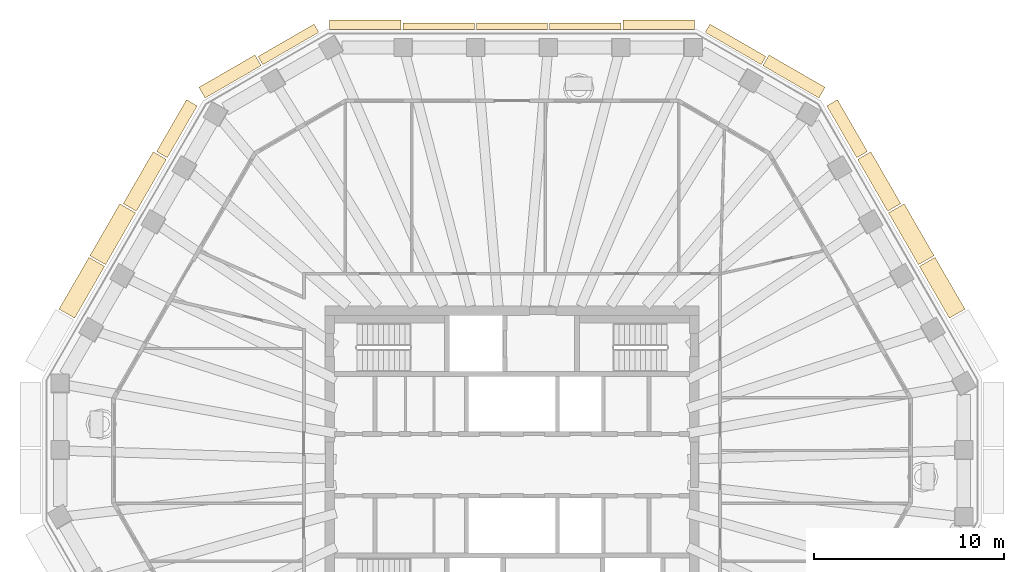
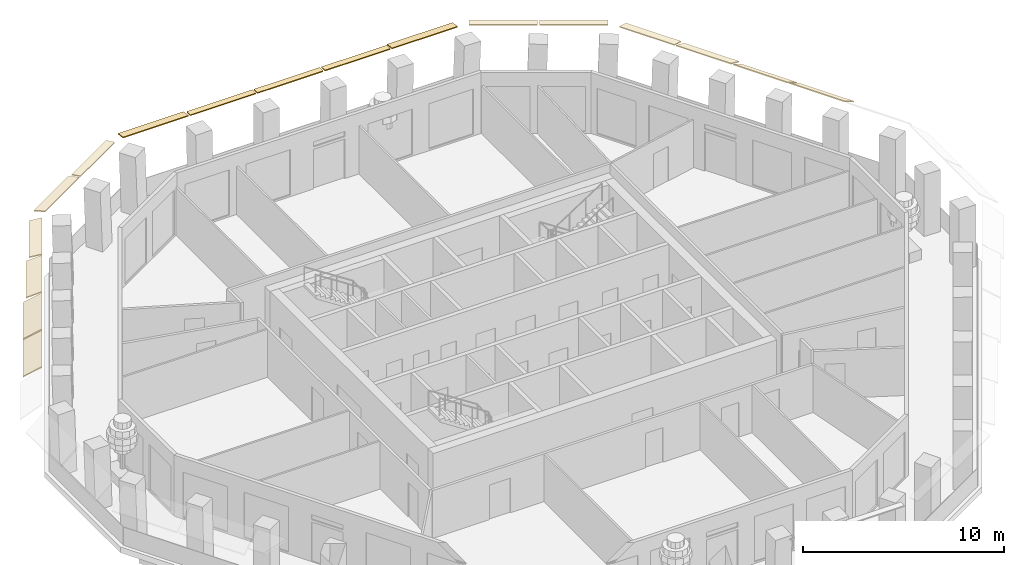
# One storey, part 9 of 11: 17 coverings.
"""IFC4 building model written with IfcOpenShell, lengths in metres."""

from ifc_helpers import new_model, si_unit, direction, frame, origin, place, context, subcontext, project, spatial, polyline, outline, extrude, material, layer, layer_set, type_object, element, save


model = new_model("IFC4")

# Units and contexts
model_context = context("Model", 3, precision=1e-05, world=origin(), true_north=direction((0.0, 1.0)))
body_context = subcontext(model_context, "Body", "Model", "MODEL_VIEW")
ifc_project = project(units=[si_unit("LENGTHUNIT", "METRE"), si_unit("AREAUNIT", "SQUARE_METRE"), si_unit("VOLUMEUNIT", "CUBIC_METRE"), si_unit("PLANEANGLEUNIT", "RADIAN"), si_unit("MASSUNIT", "GRAM", prefix="KILO")], contexts=[model_context])

# Site, building, storey
site_placement = place(None, origin())
site = spatial("IfcSite", under=ifc_project, at=site_placement, CompositionType="ELEMENT")
building_placement = place(site_placement, origin())
building = spatial("IfcBuilding", under=site, at=building_placement, Name="Frailejon Research Tower", CompositionType="ELEMENT")
storey_placement = place(building_placement, frame((0.0, 0.0, 287.0)))
storey = spatial("IfcBuildingStorey", under=building, at=storey_placement, Name="L63", CompositionType="ELEMENT", Elevation=287.0)

# Coverings
ifc_material_1 = material(Name="Precast concrete C50/60", Category="concrete")
ifc_layer_1 = layer(ifc_material_1, 0.06005859375)
ifc_layer_set_1 = layer_set([ifc_layer_1], Name="Brim blade depth 350")
covering_type_1 = type_object("IfcCoveringType", Name="Brim blade depth 350", PredefinedType="CLADDING", material=ifc_layer_set_1)
for number, where, z_axis, x_axis, name in (
    (1, (1.97900390625, 22.89990234375, 3.85009765625), (1.0, 0.0, 0.0), (0.0, 1.0, 0.0), "Brim blade L63"),
    (2, (-1.87890625, 22.89990234375, 3.85009765625), (1.0, 0.0, 0.0), (0.0, 1.0, 0.0), "Brim blade L63"),
    (3, (-5.737060546875, 22.89990234375, 3.85009765625), (1.0, 0.0, 0.0), (0.0, 1.0, 0.0), "Brim blade L63"),
):
    element("IfcCovering", number, at=place(storey_placement, frame(where, z_axis=z_axis, x_axis=x_axis)), inside=storey, type_object=covering_type_1, Name=name, PredefinedType="CLADDING", context=body_context, shape_type="SweptSolid", body=[
        extrude(outline(polyline([(0.0, -0.06005859375), (0.35009765625, -0.06005859375), (0.35009765625, 0.0), (0.0, 0.0), (0.0, -0.06005859375)])), origin(), (0.0, 0.0, 1.0), 3.758056640625),
    ])
ifc_material_2 = material(Name="Precast concrete C50/60", Category="concrete")
ifc_layer_2 = layer(ifc_material_2, 0.06005859375)
ifc_layer_set_2 = layer_set([ifc_layer_2], Name="Brim blade depth 500")
covering_type_2 = type_object("IfcCoveringType", Name="Brim blade depth 500", PredefinedType="CLADDING", material=ifc_layer_set_2)
covering_1_placement = place(storey_placement, frame((10.16357421875, 22.747802734375, 3.85009765625), z_axis=(0.866023907216, -0.500002592124, 0.0), x_axis=(0.500002592124, 0.866023907216, 0.0)))
element("IfcCovering", 4, at=covering_1_placement, inside=storey, type_object=covering_type_2, Name="Brim blade L63", PredefinedType="CLADDING", context=body_context, shape_type="SweptSolid", body=[
    extrude(outline(polyline([(0.0, -0.060546875), (0.5, -0.130859375), (0.5, -0.0703125), (0.0, 0.0), (0.0, -0.060546875)])), origin(), (0.0, 0.0, 1.0), 3.402099609375),
])
for number, where, z_axis, x_axis, name in (
    (5, (5.837158203125, 22.89990234375, 3.85009765625), (1.0, 0.0, 0.0), (0.0, 1.0, 0.0), "Brim blade L63"),
    (6, (-9.59521484375, 22.89990234375, 3.85009765625), (1.0, 0.0, 0.0), (0.0, 1.0, 0.0), "Brim blade L63"),
):
    element("IfcCovering", number, at=place(storey_placement, frame(where, z_axis=z_axis, x_axis=x_axis)), inside=storey, type_object=covering_type_2, Name=name, PredefinedType="CLADDING", context=body_context, shape_type="SweptSolid", body=[
        extrude(outline(polyline([(0.0, -0.060546875), (0.5, -0.130859375), (0.5, -0.0703125), (0.0, 0.0), (0.0, -0.060546875)])), origin(), (0.0, 0.0, 1.0), 3.758056640625),
    ])
covering_2_placement = place(storey_placement, frame((-13.109619140625, 21.046630859375, 3.85009765625), z_axis=(0.866023907216, 0.500002592124, 0.0), x_axis=(-0.500002592124, 0.866023907216, 0.0)))
element("IfcCovering", 7, at=covering_2_placement, inside=storey, type_object=covering_type_2, Name="Brim blade L63", PredefinedType="CLADDING", context=body_context, shape_type="SweptSolid", body=[
    extrude(outline(polyline([(0.0, -0.060546875), (0.5, -0.130859375), (0.5, -0.0703125), (0.0, 0.0), (0.0, -0.060546875)])), origin(), (0.0, 0.0, 1.0), 3.402099609375),
])
ifc_material_3 = material(Name="Precast concrete C50/60", Category="concrete")
ifc_layer_3 = layer(ifc_material_3, 0.06005859375)
ifc_layer_set_3 = layer_set([ifc_layer_3], Name="Brim blade depth 650")
covering_type_3 = type_object("IfcCoveringType", Name="Brim blade depth 650", PredefinedType="CLADDING", material=ifc_layer_set_3)
covering_3_placement = place(storey_placement, frame((16.55859375, 18.879638671875, 3.85009765625), z_axis=(0.499999589783, -0.866025640623, 0.0), x_axis=(0.866025640623, 0.499999589783, 0.0)))
element("IfcCovering", 8, at=covering_3_placement, inside=storey, type_object=covering_type_3, Name="Brim blade L63", PredefinedType="CLADDING", context=body_context, shape_type="SweptSolid", body=[
    extrude(outline(polyline([(0.0, -0.0625), (0.64990234375, -0.248779296875), (0.64990234375, -0.186279296875), (0.0, 0.0), (0.0, -0.0625)])), origin(), (0.0, 0.0, 1.0), 3.1484375),
])
for number, where, z_axis, x_axis, name in (
    (9, (13.1962890625, 20.99658203125, 3.85009765625), (0.866023907216, -0.500002592124, 0.0), (0.500002592124, 0.866023907216, 0.0), "Brim blade L63"),
    (10, (-16.142578125, 19.295654296875, 3.85009765625), (0.866023907216, 0.500002592124, 0.0), (-0.500002592124, 0.866023907216, 0.0), "Brim blade L63"),
):
    element("IfcCovering", number, at=place(storey_placement, frame(where, z_axis=z_axis, x_axis=x_axis)), inside=storey, type_object=covering_type_3, Name=name, PredefinedType="CLADDING", context=body_context, shape_type="SweptSolid", body=[
        extrude(outline(polyline([(0.0, -0.0625), (0.64990234375, -0.248779296875), (0.64990234375, -0.186279296875), (0.0, 0.0), (0.0, -0.0625)])), origin(), (0.0, 0.0, 1.0), 3.402099609375),
    ])
covering_4_placement = place(storey_placement, frame((-18.1328125, 16.153076171875, 3.85009765625), z_axis=(0.499999589783, 0.866025640623, 0.0), x_axis=(-0.866025640623, 0.499999589783, 0.0)))
element("IfcCovering", 11, at=covering_4_placement, inside=storey, type_object=covering_type_3, Name="Brim blade L63", PredefinedType="CLADDING", context=body_context, shape_type="SweptSolid", body=[
    extrude(outline(polyline([(0.0, -0.0625), (0.64990234375, -0.248779296875), (0.64990234375, -0.186279296875), (0.0, 0.0), (0.0, -0.0625)])), origin(), (0.0, 0.0, 1.0), 3.1484375),
])
ifc_material_4 = material(Name="Precast concrete C50/60", Category="concrete")
ifc_layer_4 = layer(ifc_material_4, 0.06005859375)
ifc_layer_set_4 = layer_set([ifc_layer_4], Name="Brim blade depth 800")
covering_type_4 = type_object("IfcCoveringType", Name="Brim blade depth 800", PredefinedType="CLADDING", material=ifc_layer_set_4)
for number, where, z_axis, x_axis, name in (
    (12, (18.1826171875, 16.06640625, 3.85009765625), (0.499999589783, -0.866025640623, 0.0), (0.866025640623, 0.499999589783, 0.0), "Brim blade L63"),
    (13, (-19.7568359375, 13.33984375, 3.85009765625), (0.499999589783, 0.866025640623, 0.0), (-0.866025640623, 0.499999589783, 0.0), "Brim blade L63"),
):
    element("IfcCovering", number, at=place(storey_placement, frame(where, z_axis=z_axis, x_axis=x_axis)), inside=storey, type_object=covering_type_4, Name=name, PredefinedType="CLADDING", context=body_context, shape_type="SweptSolid", body=[
        extrude(outline(polyline([(0.0, -0.065673828125), (0.800048828125, -0.421875), (0.800048828125, -0.356201171875), (0.0, 0.0), (0.0, -0.065673828125)])), origin(), (0.0, 0.0, 1.0), 3.1484375),
    ])
ifc_material_5 = material(Name="Precast concrete C50/60", Category="concrete")
ifc_layer_5 = layer(ifc_material_5, 0.06005859375)
ifc_layer_set_5 = layer_set([ifc_layer_5], Name="Brim blade depth 950")
covering_type_5 = type_object("IfcCoveringType", Name="Brim blade depth 950", PredefinedType="CLADDING", material=ifc_layer_set_5)
for number, where, z_axis, x_axis, name in (
    (14, (21.43115234375, 10.440185546875, 3.85009765625), (0.499986260187, -0.866033336324, 0.0), (0.866033336324, 0.499986260187, 0.0), "Brim blade L63"),
    (15, (19.806884765625, 13.25341796875, 3.85009765625), (0.499999589783, -0.866025640623, 0.0), (0.866025640623, 0.499999589783, 0.0), "Brim blade L63"),
    (16, (-21.381103515625, 10.526611328125, 3.85009765625), (0.499999589783, 0.866025640623, 0.0), (-0.866025640623, 0.499999589783, 0.0), "Brim blade L63"),
    (17, (-23.00537109375, 7.71337890625, 3.85009765625), (0.499986260187, 0.866033336324, 0.0), (-0.866033336324, 0.499986260187, 0.0), "Brim blade L63"),
):
    element("IfcCovering", number, at=place(storey_placement, frame(where, z_axis=z_axis, x_axis=x_axis)), inside=storey, type_object=covering_type_5, Name=name, PredefinedType="CLADDING", context=body_context, shape_type="SweptSolid", body=[
        extrude(outline(polyline([(0.0, -0.07080078125), (0.949951171875, -0.664306640625), (0.949951171875, -0.593505859375), (0.0, 0.0), (0.0, -0.07080078125)])), origin(), (0.0, 0.0, 1.0), 3.1484375),
    ])

save(model, "model.ifc")
